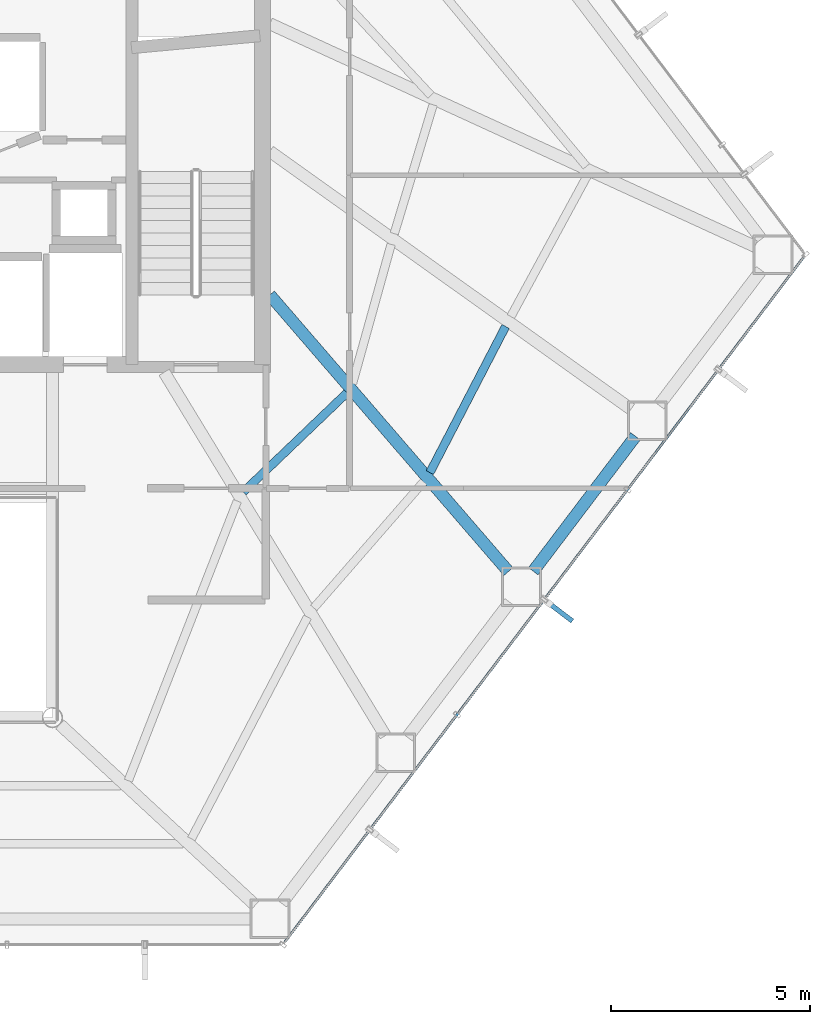
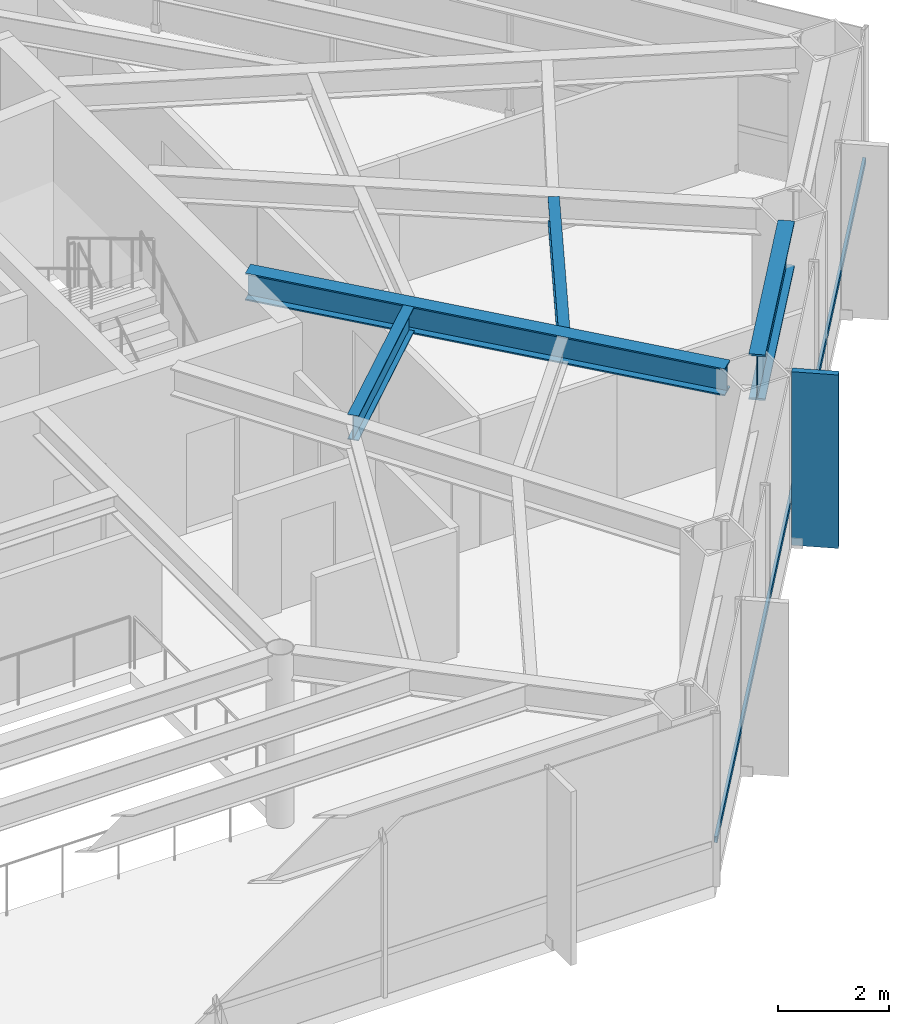
# One storey, part 14 of 24: 4 beams, 2 members, 1 element without a shape of its own.
"""IFC4 building model written with IfcOpenShell, lengths in metres."""

from ifc_helpers import new_model, si_unit, direction, frame, origin, origin_2d, place, context, subcontext, project, spatial, rectangle, hollow_rectangle, i_section, extrude, material, layer, layer_set, material_profile, profile_set, type_object, element, aggregate, save


model = new_model("IFC4")

# Units and contexts
model_context = context("Model", 3, precision=1e-05, world=origin(), true_north=direction((0.0, 1.0)))
body_context = subcontext(model_context, "Body", "Model", "MODEL_VIEW")
ifc_project = project(units=[si_unit("LENGTHUNIT", "METRE"), si_unit("AREAUNIT", "SQUARE_METRE"), si_unit("VOLUMEUNIT", "CUBIC_METRE"), si_unit("PLANEANGLEUNIT", "RADIAN"), si_unit("MASSUNIT", "GRAM", prefix="KILO")], contexts=[model_context])

# Site, building, storey
site_placement = place(None, origin())
site = spatial("IfcSite", under=ifc_project, at=site_placement, CompositionType="ELEMENT")
building_placement = place(site_placement, origin())
building = spatial("IfcBuilding", under=site, at=building_placement, Name="Zarrinselat Tower", CompositionType="ELEMENT")
storey_placement = place(building_placement, frame((0.0, 0.0, 64.260009765625)))
storey = spatial("IfcBuildingStorey", under=building, at=storey_placement, Name="L15", CompositionType="ELEMENT", Elevation=64.260009765625)

# Beams
ifc_material_1 = material(Name="Steel S355J2", Category="steel")
ifc_material_profile_1 = material_profile(ifc_material_1, i_section(OverallWidth=0.300048828125, OverallDepth=0.60009765625, WebThickness=0.015380859375, FlangeThickness=0.030029296875, at=origin_2d()), Name="HEB 600")
ifc_profile_set_1 = profile_set([ifc_material_profile_1], Name="Steel S355J2")
beam_type_1 = type_object("IfcBeamType", Name="BM-HEB600", PredefinedType="BEAM", material=ifc_profile_set_1)
beam_1_placement = place(storey_placement, frame((48.449951171875, 35.0, 3.52001953125), z_axis=(0.653022918696, -0.757338146179, 0.0), x_axis=(0.757338146179, 0.653022918696, 0.0)))
element("IfcBeam", 1, at=beam_1_placement, inside=storey, type_object=beam_type_1, Name="L15 Radial Primary Girder RG13", PredefinedType="BEAM", context=body_context, shape_type="SweptSolid", body=[
    extrude(i_section(OverallWidth=0.300048828125, OverallDepth=0.60009765625, WebThickness=0.015380859375, FlangeThickness=0.030029296875, at=origin_2d()), origin(), (0.0, 0.0, 1.0), 9.160400390625),
])
ifc_material_2 = material(Name="Steel S460M", Category="steel")
ifc_material_profile_2 = material_profile(ifc_material_2, i_section(OverallWidth=0.302001953125, OverallDepth=1.008056640625, WebThickness=0.02099609375, FlangeThickness=0.0400390625, at=origin_2d()), Name="HEM 1000")
ifc_profile_set_2 = profile_set([ifc_material_profile_2], Name="Steel S460M")
beam_type_2 = type_object("IfcBeamType", Name="BM-HEM1000", PredefinedType="BEAM", material=ifc_profile_set_2)
beam_2_placement = place(storey_placement, frame((55.054443359375, 28.0712890625, 3.31591796875), z_axis=(0.603865435914, 0.79708627846, 0.0), x_axis=(-0.79708627846, 0.603865435914, 0.0)))
element("IfcBeam", 2, at=beam_2_placement, inside=storey, type_object=beam_type_2, Name="L15 Perimeter Spandrel Girder SP13", PredefinedType="BEAM", context=body_context, shape_type="SweptSolid", body=[
    extrude(i_section(OverallWidth=0.302001953125, OverallDepth=1.008056640625, WebThickness=0.02099609375, FlangeThickness=0.0400390625, at=origin_2d()), origin(), (0.0, 0.0, 1.0), 4.246826171875),
])
ifc_material_3 = material(Name="Steel S355J2", Category="steel")
ifc_material_profile_3 = material_profile(ifc_material_3, i_section(OverallWidth=0.2099609375, OverallDepth=0.550048828125, WebThickness=0.010986328125, FlangeThickness=0.01708984375, at=origin_2d()), Name="IPE 550")
ifc_profile_set_3 = profile_set([ifc_material_profile_3], Name="Steel S355J2")
beam_type_3 = type_object("IfcBeamType", Name="BM-IPE550", PredefinedType="JOIST", material=ifc_profile_set_3)
beam_3_placement = place(storey_placement, frame((47.786376953125, 30.058837890625, 3.544921875), z_axis=(0.722357097473, 0.691520226552, 0.0), x_axis=(-0.691520226552, 0.722357097473, 0.0)))
element("IfcBeam", 3, at=beam_3_placement, inside=storey, type_object=beam_type_3, Name="L15 Composite Floor Joist 3-2", PredefinedType="JOIST", context=body_context, shape_type="SweptSolid", body=[
    extrude(i_section(OverallWidth=0.2099609375, OverallDepth=0.550048828125, WebThickness=0.010986328125, FlangeThickness=0.01708984375, at=origin_2d()), origin(), (0.0, 0.0, 1.0), 3.594482421875),
])
beam_4_placement = place(storey_placement, frame((52.46240234375, 30.54541015625, 3.544921875), z_axis=(0.460154873283, 0.887838663606, 0.0), x_axis=(-0.887838663606, 0.460154873283, 0.0)))
element("IfcBeam", 4, at=beam_4_placement, inside=storey, type_object=beam_type_3, Name="L15 Composite Floor Joist 4-1", PredefinedType="JOIST", context=body_context, shape_type="SweptSolid", body=[
    extrude(i_section(OverallWidth=0.2099609375, OverallDepth=0.550048828125, WebThickness=0.010986328125, FlangeThickness=0.01708984375, at=origin_2d()), origin(), (0.0, 0.0, 1.0), 4.127685546875),
])

# Curtain wall, members
ifc_material_4 = material(Name="Extruded Aluminium Alloy EN AW-6063 T6", Category="aluminium")
ifc_layer = layer(ifc_material_4, 0.18505859375)
ifc_layer_set = layer_set([ifc_layer], Name="Extruded Aluminium Alloy EN AW-6063 T6")
curtain_wall_type = type_object("IfcCurtainWallType", Name="CWS-OFF", PredefinedType="NOTDEFINED", material=ifc_layer_set)
curtain_wall_placement = place(storey_placement, origin())
curtain_wall = element("IfcCurtainWall", 5, at=curtain_wall_placement, inside=storey, type_object=curtain_wall_type, Name="L15 Unitised Curtain Wall CW-L15-E04", PredefinedType="NOTDEFINED")
ifc_material_5 = material(Name="Extruded Aluminium Alloy EN AW-6063 T6", Category="aluminium")
ifc_material_profile_4 = material_profile(ifc_material_5, hollow_rectangle(XDim=0.06005859375, YDim=0.139892578125, WallThickness=0.00390625, at=origin_2d()), Name="RHS 140x60x4")
ifc_profile_set_4 = profile_set([ifc_material_profile_4], Name="Extruded Aluminium Alloy EN AW-6063 T6")
member_type_1 = type_object("IfcMemberType", Name="MEM-CW-TRN", PredefinedType="USERDEFINED", material=ifc_profile_set_4)
member_1_placement = place(storey_placement, frame((61.828369140625, 35.9365234375, 0.949951171875), z_axis=(-0.603861836876, -0.797089005046, 0.0), x_axis=(0.797089005046, -0.603861836876, 0.0)))
member_1 = element("IfcMember", 6, at=member_1_placement, type_object=member_type_1, Name="CW-L15-E04 Transom 1", ObjectType="TRANSOM", PredefinedType="USERDEFINED", context=body_context, shape_type="SweptSolid", body=[
    extrude(hollow_rectangle(XDim=0.06005859375, YDim=0.139892578125, WallThickness=0.00390625, at=origin_2d()), origin(), (0.0, 0.0, 1.0), 21.526123046875),
])
ifc_material_6 = material(Name="Honed Cream Travertine Stone", Category="masonry")
ifc_material_profile_5 = material_profile(ifc_material_6, rectangle(XDim=0.1201171875, YDim=0.85009765625, at=origin_2d()), Name="FIN 850x120")
ifc_profile_set_5 = profile_set([ifc_material_profile_5], Name="Honed Cream Travertine Stone")
member_type_2 = type_object("IfcMemberType", Name="MEM-STONE-FIN", PredefinedType="USERDEFINED", material=ifc_profile_set_5)
member_2_placement = place(storey_placement, frame((55.69580078125, 27.07958984375, 0.0), z_axis=(0.0, 0.0, 1.0), x_axis=(-0.603859195889, -0.797091005808, 0.0)))
member_2 = element("IfcMember", 7, at=member_2_placement, type_object=member_type_2, Name="L15 Stone Shading Fin CW-L15-E04-03", ObjectType="FIN", PredefinedType="USERDEFINED", context=body_context, shape_type="SweptSolid", body=[
    extrude(rectangle(XDim=0.1201171875, YDim=0.85009765625, at=origin_2d()), origin(), (0.0, 0.0, 1.0), 3.820068359375),
])
aggregate(curtain_wall, [member_2, member_1])

save(model, "model.ifc")
